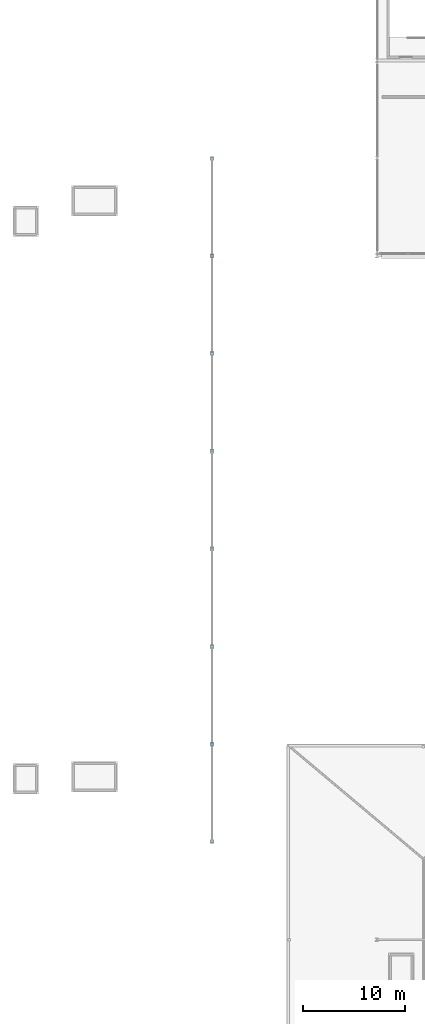
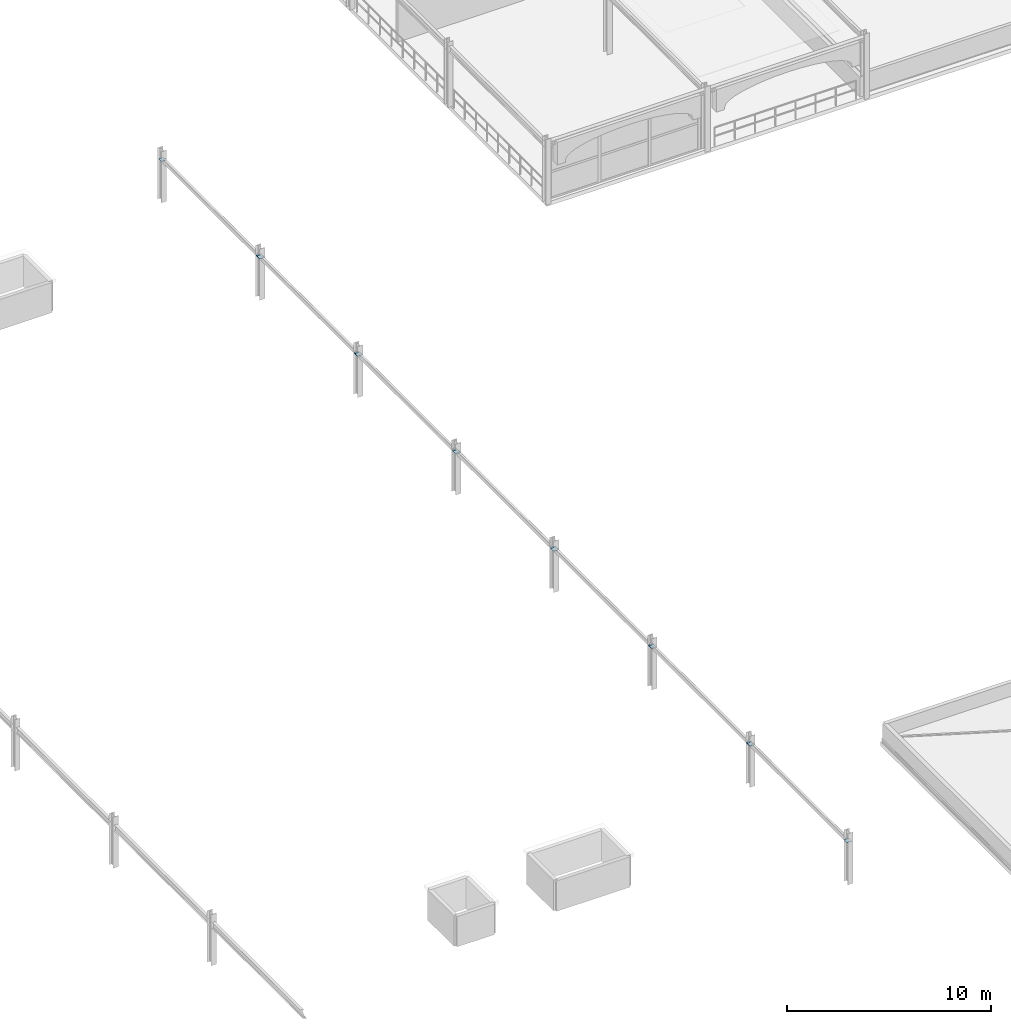
# One storey, part 19 of 25: 14 plates.
"""IFC4 building model written with IfcOpenShell, lengths in metres."""

from ifc_helpers import new_model, si_unit, direction, frame, origin, origin_2d, place, context, subcontext, project, spatial, rectangle, extrude, material, layer, layer_set, type_object, element, save


model = new_model("IFC4")

# Units and contexts
model_context = context("Model", 3, precision=1e-05, world=origin(), true_north=direction((0.0, 1.0)))
body_context = subcontext(model_context, "Body", "Model", "MODEL_VIEW")
ifc_project = project(units=[si_unit("LENGTHUNIT", "METRE"), si_unit("AREAUNIT", "SQUARE_METRE"), si_unit("VOLUMEUNIT", "CUBIC_METRE"), si_unit("PLANEANGLEUNIT", "RADIAN"), si_unit("MASSUNIT", "GRAM", prefix="KILO")], contexts=[model_context])

# Site, building, storey
site_placement = place(None, origin())
site = spatial("IfcSite", under=ifc_project, at=site_placement, CompositionType="ELEMENT")
building_placement = place(site_placement, origin())
building = spatial("IfcBuilding", under=site, at=building_placement, Name="Myrtia Square Station", CompositionType="ELEMENT")
storey_placement = place(building_placement, frame((0.0, 0.0, 18.89990234375)))
storey = spatial("IfcBuildingStorey", under=building, at=storey_placement, Name="L04", CompositionType="ELEMENT", Elevation=18.89990234375)

# Plates
ifc_material = material(Name="Steel S355", Category="steel")
ifc_layer = layer(ifc_material, 0.01611328125, Name="Steel S355")
ifc_layer_set = layer_set([ifc_layer], Name="Steel S355")
plate_type = type_object("IfcPlateType", Name="PLT-GUS16", PredefinedType="USERDEFINED", material=ifc_layer_set)
for number, where, z_axis, x_axis, name in (
    (1, (109.800048828125, 28.85009765625, 2.442138671875), (0.0, 0.0, 1.0), (0.0, 1.0, 0.0), "Truss node gusset plate SPNY-L04-0253-1"),
    (2, (109.800048828125, 38.35009765625, 2.442138671875), (0.0, 0.0, 1.0), (0.0, 1.0, 0.0), "Truss node gusset plate SPNY-L04-0253-2"),
    (3, (109.800048828125, 38.449951171875, 2.442138671875), (0.0, 0.0, 1.0), (0.0, 1.0, 0.0), "Truss node gusset plate SPNY-L04-0254-1"),
    (4, (109.800048828125, 47.949951171875, 2.442138671875), (0.0, 0.0, 1.0), (0.0, 1.0, 0.0), "Truss node gusset plate SPNY-L04-0254-2"),
    (5, (109.800048828125, 48.050048828125, 2.442138671875), (0.0, 0.0, 1.0), (0.0, 1.0, 0.0), "Truss node gusset plate SPNY-L04-0255-1"),
    (6, (109.800048828125, 57.550048828125, 2.442138671875), (0.0, 0.0, 1.0), (0.0, 1.0, 0.0), "Truss node gusset plate SPNY-L04-0255-2"),
    (7, (109.800048828125, 57.64990234375, 2.442138671875), (0.0, 0.0, 1.0), (0.0, 1.0, 0.0), "Truss node gusset plate SPNY-L04-0256-1"),
    (8, (109.800048828125, 67.14990234375, 2.442138671875), (0.0, 0.0, 1.0), (0.0, 1.0, 0.0), "Truss node gusset plate SPNY-L04-0256-2"),
    (9, (109.800048828125, 67.25, 2.442138671875), (0.0, 0.0, 1.0), (0.0, 1.0, 0.0), "Truss node gusset plate SPNY-L04-0257-1"),
    (10, (109.800048828125, 76.75, 2.442138671875), (0.0, 0.0, 1.0), (0.0, 1.0, 0.0), "Truss node gusset plate SPNY-L04-0257-2"),
    (11, (109.800048828125, 76.85009765625, 2.442138671875), (0.0, 0.0, 1.0), (0.0, 1.0, 0.0), "Truss node gusset plate SPNY-L04-0258-1"),
    (12, (109.800048828125, 86.35009765625, 2.442138671875), (0.0, 0.0, 1.0), (0.0, 1.0, 0.0), "Truss node gusset plate SPNY-L04-0258-2"),
    (13, (109.800048828125, 86.449951171875, 2.442138671875), (0.0, 0.0, 1.0), (0.0, 1.0, 0.0), "Truss node gusset plate SPNY-L04-0259-1"),
    (14, (109.800048828125, 95.949951171875, 2.442138671875), (0.0, 0.0, 1.0), (0.0, 1.0, 0.0), "Truss node gusset plate SPNY-L04-0259-2"),
):
    element("IfcPlate", number, at=place(storey_placement, frame(where, z_axis=z_axis, x_axis=x_axis)), inside=storey, type_object=plate_type, Name=name, ObjectType="GUSSET PLATE", PredefinedType="USERDEFINED", context=body_context, shape_type="SweptSolid", body=[
        extrude(rectangle(XDim=0.280029296875, YDim=0.280029296875, at=origin_2d()), origin(), (0.0, 0.0, 1.0), 0.01611328125),
    ])

save(model, "model.ifc")
